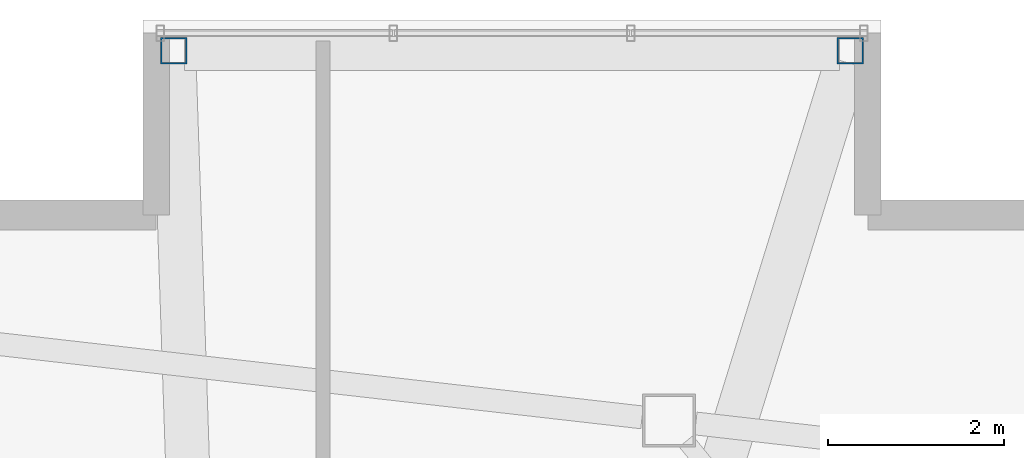
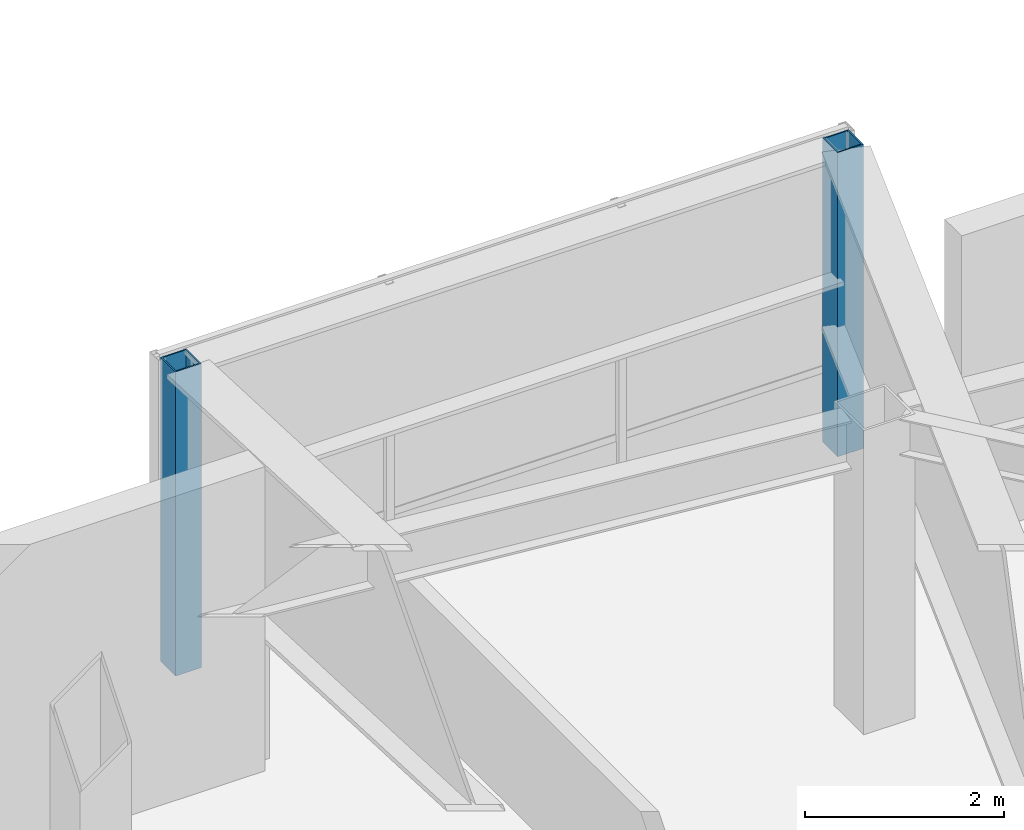
# One storey, part 2 of 20: 2 columns.
"""IFC4 building model written with IfcOpenShell, lengths in metres."""

from ifc_helpers import new_model, si_unit, direction, frame, origin, origin_2d, place, context, subcontext, project, spatial, hollow_rectangle, extrude, material, material_profile, profile_set, type_object, element, save


model = new_model("IFC4")

# Units and contexts
model_context = context("Model", 3, precision=1e-05, world=origin(), true_north=direction((0.0, 1.0)))
body_context = subcontext(model_context, "Body", "Model", "MODEL_VIEW")
ifc_project = project(units=[si_unit("LENGTHUNIT", "METRE"), si_unit("AREAUNIT", "SQUARE_METRE"), si_unit("VOLUMEUNIT", "CUBIC_METRE"), si_unit("PLANEANGLEUNIT", "RADIAN"), si_unit("MASSUNIT", "GRAM", prefix="KILO")], contexts=[model_context])

# Site, building, storey
site_placement = place(None, origin())
site = spatial("IfcSite", under=ifc_project, at=site_placement, CompositionType="ELEMENT")
building_placement = place(site_placement, origin())
building = spatial("IfcBuilding", under=site, at=building_placement, Name="Tavrogorsk Clinical Tower", CompositionType="ELEMENT")
storey_placement = place(building_placement, frame((0.0, 0.0, 176.199951171875)))
storey = spatial("IfcBuildingStorey", under=building, at=storey_placement, Name="L40", CompositionType="ELEMENT", Elevation=176.199951171875)

# Columns
ifc_material = material(Name="Structural steel S390", Category="steel")
ifc_material_profile = material_profile(ifc_material, hollow_rectangle(XDim=0.300048828125, YDim=0.300048828125, WallThickness=0.01611328125, at=origin_2d()), Name="SHS-300x300x16")
ifc_profile_set = profile_set([ifc_material_profile], Name="Structural steel S390")
column_type = type_object("IfcColumnType", Name="DayroomCol_SHS300", PredefinedType="COLUMN", material=ifc_profile_set)
for number, where, z_axis, x_axis, name in (
    (1, (9.550048828125, 28.800048828125, 0.0), (0.0, 0.0, 1.0), (1.0, 0.0, 0.0), "L40 Day-Room Box Column DRB-06-L"),
    (2, (17.25, 28.800048828125, 0.0), (0.0, 0.0, 1.0), (1.0, 0.0, 0.0), "L40 Day-Room Box Column DRB-06-R"),
):
    element("IfcColumn", number, at=place(storey_placement, frame(where, z_axis=z_axis, x_axis=x_axis)), inside=storey, type_object=column_type, Name=name, PredefinedType="COLUMN", context=body_context, shape_type="SweptSolid", body=[
        extrude(hollow_rectangle(XDim=0.300048828125, YDim=0.300048828125, WallThickness=0.01611328125, at=origin_2d()), origin(), (0.0, 0.0, 1.0), 3.739990234375),
    ])

save(model, "model.ifc")
